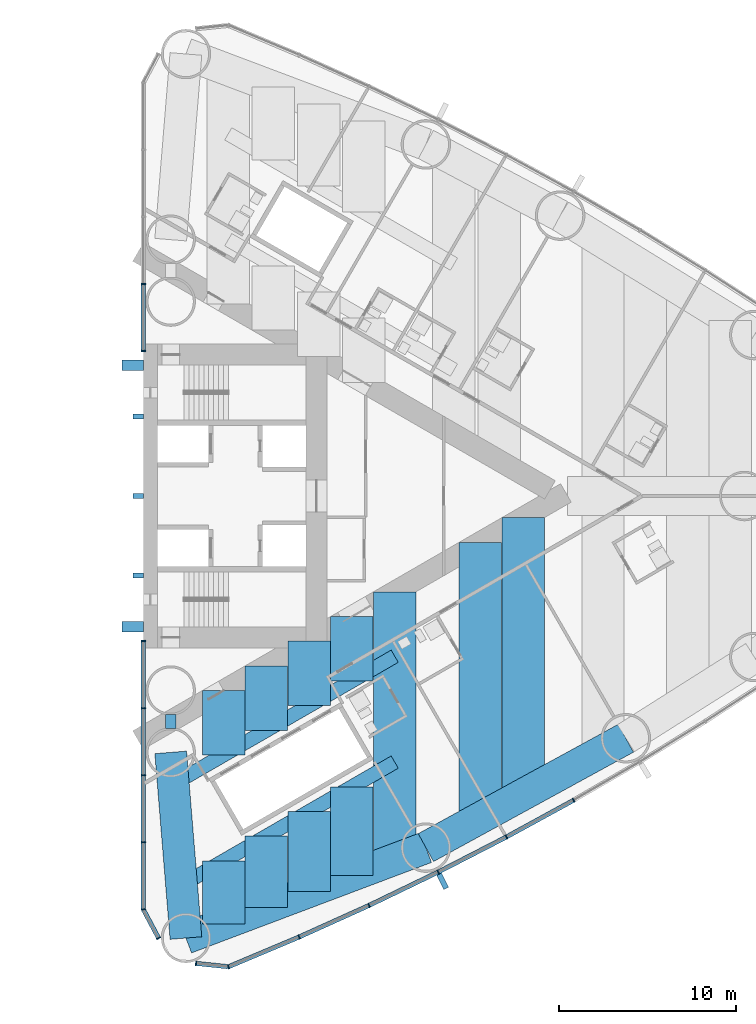
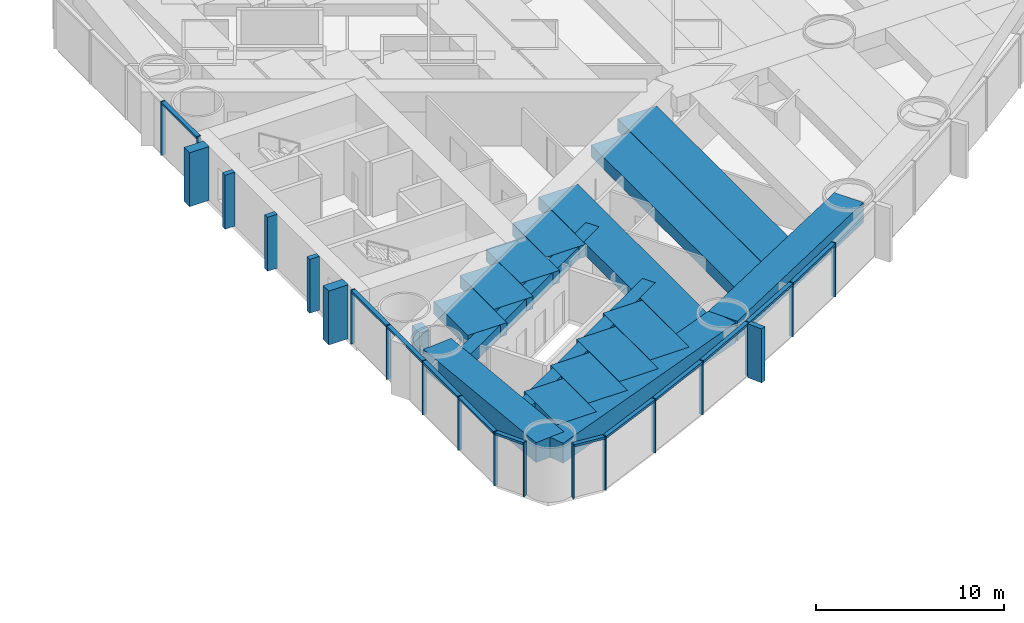
# One storey, part 6 of 19: 33 members, 17 beams, 3 elements without a shape of their own.
"""IFC4 building model written with IfcOpenShell, lengths in metres."""

from ifc_helpers import new_model, si_unit, direction, frame, origin, origin_2d, place, context, subcontext, project, spatial, rectangle, hollow_rectangle, extrude, material, material_profile, profile_set, type_object, element, aggregate, save


model = new_model("IFC4")

# Units and contexts
model_context = context("Model", 3, precision=1e-05, world=origin(), true_north=direction((0.0, 1.0)))
body_context = subcontext(model_context, "Body", "Model", "MODEL_VIEW")
ifc_project = project(units=[si_unit("LENGTHUNIT", "METRE"), si_unit("AREAUNIT", "SQUARE_METRE"), si_unit("VOLUMEUNIT", "CUBIC_METRE"), si_unit("PLANEANGLEUNIT", "RADIAN"), si_unit("MASSUNIT", "GRAM", prefix="KILO")], contexts=[model_context])

# Site, building, storey
site_placement = place(None, origin())
site = spatial("IfcSite", under=ifc_project, at=site_placement, CompositionType="ELEMENT")
building_placement = place(site_placement, origin())
building = spatial("IfcBuilding", under=site, at=building_placement, Name="Lancet Gate Hotel", CompositionType="ELEMENT")
storey_placement = place(building_placement, frame((0.0, 0.0, 39.0)))
storey = spatial("IfcBuildingStorey", under=building, at=storey_placement, Name="L09", CompositionType="ELEMENT", Elevation=39.0)

# Curtain wall, members
ifc_material_1 = material(Name="Aluminium curtain wall", Category="aluminium")
curtain_wall_type = type_object("IfcCurtainWallType", Name="Tower unitised curtain wall", PredefinedType="USERDEFINED", material=ifc_material_1)
curtain_wall_1_placement = place(storey_placement, origin())
curtain_wall_1 = element("IfcCurtainWall", 1, at=curtain_wall_1_placement, inside=storey, type_object=curtain_wall_type, Name="T2 L09 curtain wall 1", ObjectType="UNITISED CURTAIN WALL", PredefinedType="USERDEFINED")
ifc_material_2 = material(Name="Aluminium mullion", Category="aluminium")
ifc_material_profile_1 = material_profile(ifc_material_2, rectangle(XDim=0.06494140625, YDim=0.25, at=origin_2d()), Name="MULLION 65x250")
ifc_profile_set_1 = profile_set([ifc_material_profile_1], Name="Aluminium mullion")
member_type_1 = type_object("IfcMemberType", Name="Aluminium mullion 65x250", PredefinedType="MULLION", material=ifc_profile_set_1)
member_1_placement = place(storey_placement, frame((27.5, -8.199951171875, 0.0), z_axis=(0.0, 0.0, 1.0), x_axis=(0.0, -1.0, 0.0)))
member_1 = element("IfcMember", 2, at=member_1_placement, type_object=member_type_1, Name="T2 L09 curtain wall 1 mullion 1", PredefinedType="MULLION", context=body_context, shape_type="SweptSolid", body=[
    extrude(rectangle(XDim=0.06494140625, YDim=0.25, at=origin_2d()), origin(), (0.0, 0.0, 1.0), 3.5),
])
member_2_placement = place(storey_placement, frame((27.5, -11.99609375, 0.0), z_axis=(0.0, 0.0, 1.0), x_axis=(0.0, -1.0, 0.0)))
member_2 = element("IfcMember", 3, at=member_2_placement, type_object=member_type_1, Name="T2 L09 curtain wall 1 mullion 2", PredefinedType="MULLION", context=body_context, shape_type="SweptSolid", body=[
    extrude(rectangle(XDim=0.06494140625, YDim=0.25, at=origin_2d()), origin(), (0.0, 0.0, 1.0), 3.5),
])
member_3_placement = place(storey_placement, frame((27.5, -15.79248046875, 0.0), z_axis=(0.0, 0.0, 1.0), x_axis=(0.0, -1.0, 0.0)))
member_3 = element("IfcMember", 4, at=member_3_placement, type_object=member_type_1, Name="T2 L09 curtain wall 1 mullion 3", PredefinedType="MULLION", context=body_context, shape_type="SweptSolid", body=[
    extrude(rectangle(XDim=0.06494140625, YDim=0.25, at=origin_2d()), origin(), (0.0, 0.0, 1.0), 3.5),
])
member_4_placement = place(storey_placement, frame((27.5, -19.588623046875, 0.0), z_axis=(0.0, 0.0, 1.0), x_axis=(0.0, -1.0, 0.0)))
member_4 = element("IfcMember", 5, at=member_4_placement, type_object=member_type_1, Name="T2 L09 curtain wall 1 mullion 4", PredefinedType="MULLION", context=body_context, shape_type="SweptSolid", body=[
    extrude(rectangle(XDim=0.06494140625, YDim=0.25, at=origin_2d()), origin(), (0.0, 0.0, 1.0), 3.5),
])
member_5_placement = place(storey_placement, frame((27.5, -23.384765625, 0.0), z_axis=(0.0, 0.0, 1.0), x_axis=(0.157751691459, -0.987478811844, 0.0)))
member_5 = element("IfcMember", 6, at=member_5_placement, type_object=member_type_1, Name="T2 L09 curtain wall 1 mullion 5", PredefinedType="MULLION", context=body_context, shape_type="SweptSolid", body=[
    extrude(rectangle(XDim=0.06494140625, YDim=0.25, at=origin_2d()), origin(), (0.0, 0.0, 1.0), 3.5),
])
member_6_placement = place(storey_placement, frame((28.366455078125, -25.012451171875, 0.0), z_axis=(0.0, 0.0, 1.0), x_axis=(0.469897827284, -0.882720811987, 0.0)))
member_6 = element("IfcMember", 7, at=member_6_placement, type_object=member_type_1, Name="T2 L09 curtain wall 1 mullion 6", PredefinedType="MULLION", context=body_context, shape_type="SweptSolid", body=[
    extrude(rectangle(XDim=0.06494140625, YDim=0.25, at=origin_2d()), origin(), (0.0, 0.0, 1.0), 3.5),
])

curtain_wall_2_placement = place(storey_placement, origin())
curtain_wall_2 = element("IfcCurtainWall", 8, at=curtain_wall_2_placement, inside=storey, type_object=curtain_wall_type, Name="T2 L09 curtain wall 2", ObjectType="UNITISED CURTAIN WALL", PredefinedType="USERDEFINED")
member_7_placement = place(storey_placement, frame((30.48388671875, -26.4375, 0.0), z_axis=(0.0, 0.0, 1.0), x_axis=(0.994672262412, -0.10308778001, 0.0)))
member_7 = element("IfcMember", 9, at=member_7_placement, type_object=member_type_1, Name="T2 L09 curtain wall 2 mullion 1", PredefinedType="MULLION", context=body_context, shape_type="SweptSolid", body=[
    extrude(rectangle(XDim=0.06494140625, YDim=0.25, at=origin_2d()), origin(), (0.0, 0.0, 1.0), 3.5),
])
member_8_placement = place(storey_placement, frame((32.3173828125, -26.62744140625, 0.0), z_axis=(0.0, 0.0, 1.0), x_axis=(0.968721492963, 0.248150496819, 0.0)))
member_8 = element("IfcMember", 10, at=member_8_placement, type_object=member_type_1, Name="T2 L09 curtain wall 2 mullion 2", PredefinedType="MULLION", context=body_context, shape_type="SweptSolid", body=[
    extrude(rectangle(XDim=0.06494140625, YDim=0.25, at=origin_2d()), origin(), (0.0, 0.0, 1.0), 3.5),
])
member_9_placement = place(storey_placement, frame((36.31494140625, -24.943603515625, 0.0), z_axis=(0.0, 0.0, 1.0), x_axis=(0.916578705089, 0.399854320193, 0.0)))
member_9 = element("IfcMember", 11, at=member_9_placement, type_object=member_type_1, Name="T2 L09 curtain wall 2 mullion 3", PredefinedType="MULLION", context=body_context, shape_type="SweptSolid", body=[
    extrude(rectangle(XDim=0.06494140625, YDim=0.25, at=origin_2d()), origin(), (0.0, 0.0, 1.0), 3.5),
])
member_10_placement = place(storey_placement, frame((40.2685546875, -23.15869140625, 0.0), z_axis=(0.0, 0.0, 1.0), x_axis=(0.906104948671, 0.423052977762, 0.0)))
member_10 = element("IfcMember", 12, at=member_10_placement, type_object=member_type_1, Name="T2 L09 curtain wall 2 mullion 4", PredefinedType="MULLION", context=body_context, shape_type="SweptSolid", body=[
    extrude(rectangle(XDim=0.06494140625, YDim=0.25, at=origin_2d()), origin(), (0.0, 0.0, 1.0), 3.5),
])
member_11_placement = place(storey_placement, frame((44.17529296875, -21.273681640625, 0.0), z_axis=(0.0, 0.0, 1.0), x_axis=(0.895044147438, 0.445977548917, 0.0)))
member_11 = element("IfcMember", 13, at=member_11_placement, type_object=member_type_1, Name="T2 L09 curtain wall 2 mullion 5", PredefinedType="MULLION", context=body_context, shape_type="SweptSolid", body=[
    extrude(rectangle(XDim=0.06494140625, YDim=0.25, at=origin_2d()), origin(), (0.0, 0.0, 1.0), 3.5),
])
member_12_placement = place(storey_placement, frame((48.03271484375, -19.2900390625, 0.0), z_axis=(0.0, 0.0, 1.0), x_axis=(0.88340346743, 0.468613181347, 0.0)))
member_12 = element("IfcMember", 14, at=member_12_placement, type_object=member_type_1, Name="T2 L09 curtain wall 2 mullion 6", PredefinedType="MULLION", context=body_context, shape_type="SweptSolid", body=[
    extrude(rectangle(XDim=0.06494140625, YDim=0.25, at=origin_2d()), origin(), (0.0, 0.0, 1.0), 3.5),
])
member_13_placement = place(storey_placement, frame((51.838623046875, -17.208740234375, 0.0), z_axis=(0.0, 0.0, 1.0), x_axis=(0.871190450382, 0.490945209941, 0.0)))
member_13 = element("IfcMember", 15, at=member_13_placement, type_object=member_type_1, Name="T2 L09 curtain wall 2 mullion 7", PredefinedType="MULLION", context=body_context, shape_type="SweptSolid", body=[
    extrude(rectangle(XDim=0.06494140625, YDim=0.25, at=origin_2d()), origin(), (0.0, 0.0, 1.0), 3.5),
])

curtain_wall_3_placement = place(storey_placement, origin())
curtain_wall_3 = element("IfcCurtainWall", 16, at=curtain_wall_3_placement, inside=storey, type_object=curtain_wall_type, Name="T2 L09 curtain wall 4", ObjectType="UNITISED CURTAIN WALL", PredefinedType="USERDEFINED")
member_14_placement = place(storey_placement, frame((27.5, 11.99609375, 0.0), z_axis=(0.0, 0.0, 1.0), x_axis=(0.0, -1.0, 0.0)))
member_14 = element("IfcMember", 17, at=member_14_placement, type_object=member_type_1, Name="T2 L09 curtain wall 4 mullion 5", PredefinedType="MULLION", context=body_context, shape_type="SweptSolid", body=[
    extrude(rectangle(XDim=0.06494140625, YDim=0.25, at=origin_2d()), origin(), (0.0, 0.0, 1.0), 3.5),
])
member_15_placement = place(storey_placement, frame((27.5, 8.199951171875, 0.0), z_axis=(0.0, 0.0, 1.0), x_axis=(0.0, -1.0, 0.0)))
member_15 = element("IfcMember", 18, at=member_15_placement, type_object=member_type_1, Name="T2 L09 curtain wall 4 mullion 6", PredefinedType="MULLION", context=body_context, shape_type="SweptSolid", body=[
    extrude(rectangle(XDim=0.06494140625, YDim=0.25, at=origin_2d()), origin(), (0.0, 0.0, 1.0), 3.5),
])

# Member
ifc_material_3 = material(Name="Aluminium transom", Category="aluminium")
ifc_material_profile_2 = material_profile(ifc_material_3, rectangle(XDim=0.25, YDim=0.14990234375, at=origin_2d()), Name="TRANSOM 250x150")
ifc_profile_set_2 = profile_set([ifc_material_profile_2], Name="Aluminium transom")
member_type_2 = type_object("IfcMemberType", Name="Aluminium transom 250x150", PredefinedType="USERDEFINED", material=ifc_profile_set_2)
member_16_placement = place(storey_placement, frame((27.5, -8.232421875, 3.425048828125), z_axis=(0.0, -1.0, 0.0), x_axis=(1.0, 0.0, 0.0)))
member_16 = element("IfcMember", 19, at=member_16_placement, type_object=member_type_2, Name="T2 L09 curtain wall 1 transom 1", ObjectType="TRANSOM", PredefinedType="USERDEFINED", context=body_context, shape_type="SweptSolid", body=[
    extrude(rectangle(XDim=0.25, YDim=0.14990234375, at=origin_2d()), origin(), (0.0, 0.0, 1.0), 3.731201171875),
])

member_17_placement = place(storey_placement, frame((27.5, -12.02880859375, 3.425048828125), z_axis=(0.0, -1.0, 0.0), x_axis=(1.0, 0.0, 0.0)))
member_17 = element("IfcMember", 20, at=member_17_placement, type_object=member_type_2, Name="T2 L09 curtain wall 1 transom 2", ObjectType="TRANSOM", PredefinedType="USERDEFINED", context=body_context, shape_type="SweptSolid", body=[
    extrude(rectangle(XDim=0.25, YDim=0.14990234375, at=origin_2d()), origin(), (0.0, 0.0, 1.0), 3.731201171875),
])

member_18_placement = place(storey_placement, frame((27.5, -15.824951171875, 3.425048828125), z_axis=(0.0, -1.0, 0.0), x_axis=(1.0, 0.0, 0.0)))
member_18 = element("IfcMember", 21, at=member_18_placement, type_object=member_type_2, Name="T2 L09 curtain wall 1 transom 3", ObjectType="TRANSOM", PredefinedType="USERDEFINED", context=body_context, shape_type="SweptSolid", body=[
    extrude(rectangle(XDim=0.25, YDim=0.14990234375, at=origin_2d()), origin(), (0.0, 0.0, 1.0), 3.731201171875),
])

member_19_placement = place(storey_placement, frame((27.5, -19.62109375, 3.425048828125), z_axis=(0.0, -1.0, 0.0), x_axis=(1.0, 0.0, 0.0)))
member_19 = element("IfcMember", 22, at=member_19_placement, type_object=member_type_2, Name="T2 L09 curtain wall 1 transom 4", ObjectType="TRANSOM", PredefinedType="USERDEFINED", context=body_context, shape_type="SweptSolid", body=[
    extrude(rectangle(XDim=0.25, YDim=0.14990234375, at=origin_2d()), origin(), (0.0, 0.0, 1.0), 3.731201171875),
])

member_20_placement = place(storey_placement, frame((27.515380859375, -23.41357421875, 3.425048828125), z_axis=(0.469904276347, -0.882717378933, 0.0), x_axis=(0.882717378933, 0.469904276347, 0.0)))
member_20 = element("IfcMember", 23, at=member_20_placement, type_object=member_type_2, Name="T2 L09 curtain wall 1 transom 5", ObjectType="TRANSOM", PredefinedType="USERDEFINED", context=body_context, shape_type="SweptSolid", body=[
    extrude(rectangle(XDim=0.25, YDim=0.14990234375, at=origin_2d()), origin(), (0.0, 0.0, 1.0), 1.779052734375),
])

aggregate(curtain_wall_1, [member_1, member_2, member_3, member_4, member_5, member_6, member_16, member_17, member_18, member_19, member_20])

member_21_placement = place(storey_placement, frame((30.516357421875, -26.440673828125, 3.425048828125), z_axis=(0.994670452051, -0.103105246306, 0.0), x_axis=(0.103105246306, 0.994670452051, 0.0)))
member_21 = element("IfcMember", 24, at=member_21_placement, type_object=member_type_2, Name="T2 L09 curtain wall 2 transom 1", ObjectType="TRANSOM", PredefinedType="USERDEFINED", context=body_context, shape_type="SweptSolid", body=[
    extrude(rectangle(XDim=0.25, YDim=0.14990234375, at=origin_2d()), origin(), (0.0, 0.0, 1.0), 1.7783203125),
])

member_22_placement = place(storey_placement, frame((32.347412109375, -26.61474609375, 3.425048828125), z_axis=(0.92159772617, 0.388146404233, 0.0), x_axis=(-0.388146404233, 0.92159772617, 0.0)))
member_22 = element("IfcMember", 25, at=member_22_placement, type_object=member_type_2, Name="T2 L09 curtain wall 2 transom 2", ObjectType="TRANSOM", PredefinedType="USERDEFINED", context=body_context, shape_type="SweptSolid", body=[
    extrude(rectangle(XDim=0.25, YDim=0.14990234375, at=origin_2d()), origin(), (0.0, 0.0, 1.0), 4.272705078125),
])

member_23_placement = place(storey_placement, frame((36.3447265625, -24.930419921875, 3.425048828125), z_axis=(0.911396871737, 0.411528543589, 0.0), x_axis=(-0.411528543589, 0.911396871737, 0.0)))
member_23 = element("IfcMember", 26, at=member_23_placement, type_object=member_type_2, Name="T2 L09 curtain wall 2 transom 3", ObjectType="TRANSOM", PredefinedType="USERDEFINED", context=body_context, shape_type="SweptSolid", body=[
    extrude(rectangle(XDim=0.25, YDim=0.14990234375, at=origin_2d()), origin(), (0.0, 0.0, 1.0), 4.272705078125),
])

member_24_placement = place(storey_placement, frame((40.2978515625, -23.14453125, 3.425048828125), z_axis=(0.900646499888, 0.434552508035, 0.0), x_axis=(-0.434552508035, 0.900646499888, 0.0)))
member_24 = element("IfcMember", 27, at=member_24_placement, type_object=member_type_2, Name="T2 L09 curtain wall 2 transom 4", ObjectType="TRANSOM", PredefinedType="USERDEFINED", context=body_context, shape_type="SweptSolid", body=[
    extrude(rectangle(XDim=0.25, YDim=0.14990234375, at=origin_2d()), origin(), (0.0, 0.0, 1.0), 4.272705078125),
])

member_25_placement = place(storey_placement, frame((44.2041015625, -21.259033203125, 3.425048828125), z_axis=(0.88929576978, 0.457332520002, 0.0), x_axis=(-0.457332520002, 0.88929576978, 0.0)))
member_25 = element("IfcMember", 28, at=member_25_placement, type_object=member_type_2, Name="T2 L09 curtain wall 2 transom 5", ObjectType="TRANSOM", PredefinedType="USERDEFINED", context=body_context, shape_type="SweptSolid", body=[
    extrude(rectangle(XDim=0.25, YDim=0.14990234375, at=origin_2d()), origin(), (0.0, 0.0, 1.0), 4.272705078125),
])

member_26_placement = place(storey_placement, frame((48.061279296875, -19.2744140625, 3.425048828125), z_axis=(0.877377528879, 0.479800658417, 0.0), x_axis=(-0.479800658417, 0.877377528879, 0.0)))
member_26 = element("IfcMember", 29, at=member_26_placement, type_object=member_type_2, Name="T2 L09 curtain wall 2 transom 6", ObjectType="TRANSOM", PredefinedType="USERDEFINED", context=body_context, shape_type="SweptSolid", body=[
    extrude(rectangle(XDim=0.25, YDim=0.14990234375, at=origin_2d()), origin(), (0.0, 0.0, 1.0), 4.272705078125),
])

member_27_placement = place(storey_placement, frame((27.5, 11.963623046875, 3.425048828125), z_axis=(0.0, -1.0, 0.0), x_axis=(1.0, 0.0, 0.0)))
member_27 = element("IfcMember", 30, at=member_27_placement, type_object=member_type_2, Name="T2 L09 curtain wall 4 transom 5", ObjectType="TRANSOM", PredefinedType="USERDEFINED", context=body_context, shape_type="SweptSolid", body=[
    extrude(rectangle(XDim=0.25, YDim=0.14990234375, at=origin_2d()), origin(), (0.0, 0.0, 1.0), 3.731201171875),
])

aggregate(curtain_wall_3, [member_14, member_15, member_27])

# Beams
ifc_material_4 = material(Name="Concrete C50/60", Category="concrete")
ifc_material_profile_3 = material_profile(ifc_material_4, rectangle(XDim=1.800048828125, YDim=1.300048828125, at=origin_2d()), Name="RC 1800x1300")
ifc_profile_set_3 = profile_set([ifc_material_profile_3], Name="Concrete C50/60")
beam_type_1 = type_object("IfcBeamType", Name="Edge beam RC 1800x1300", PredefinedType="SPANDREL", material=ifc_profile_set_3)
beam_1_placement = place(storey_placement, frame((29.9111328125, -25.00244140625, 2.60009765625), z_axis=(0.935736448066, 0.352700013836, 0.0), x_axis=(-0.352700013836, 0.935736448066, 0.0)))
element("IfcBeam", 31, at=beam_1_placement, inside=storey, type_object=beam_type_1, Name="T2 edge beam EB1 L09", PredefinedType="SPANDREL", context=body_context, shape_type="SweptSolid", body=[
    extrude(rectangle(XDim=1.800048828125, YDim=1.300048828125, at=origin_2d()), origin(), (0.0, 0.0, 1.0), 14.505126953125),
])
beam_2_placement = place(storey_placement, frame((43.484130859375, -19.886474609375, 2.60009765625), z_axis=(0.87736889738, 0.479816441893, 0.0), x_axis=(-0.479816441893, 0.87736889738, 0.0)))
element("IfcBeam", 32, at=beam_2_placement, inside=storey, type_object=beam_type_1, Name="T2 edge beam EB1 L09", PredefinedType="SPANDREL", context=body_context, shape_type="SweptSolid", body=[
    extrude(rectangle(XDim=1.800048828125, YDim=1.300048828125, at=origin_2d()), origin(), (0.0, 0.0, 1.0), 12.89208984375),
])
beam_3_placement = place(storey_placement, frame((29.9111328125, -25.00244140625, 2.60009765625), z_axis=(-0.081714744052, 0.996655758326, 0.0), x_axis=(-0.996655758326, -0.081714744052, 0.0)))
element("IfcBeam", 33, at=beam_3_placement, inside=storey, type_object=beam_type_1, Name="T2 edge beam EB1 L09", PredefinedType="SPANDREL", context=body_context, shape_type="SweptSolid", body=[
    extrude(rectangle(XDim=1.800048828125, YDim=1.300048828125, at=origin_2d()), origin(), (0.0, 0.0, 1.0), 10.53759765625),
])

# Members
ifc_material_5 = material(Name="Concrete C60/75", Category="concrete")
ifc_material_profile_4 = material_profile(ifc_material_5, rectangle(XDim=0.60009765625, YDim=1.199951171875, at=origin_2d()), Name="FIN 600x1200")
ifc_profile_set_4 = profile_set([ifc_material_profile_4], Name="Concrete C60/75")
member_type_3 = type_object("IfcMemberType", Name="Exposed concrete buttress pilaster 600x1200", PredefinedType="USERDEFINED", material=ifc_profile_set_4)
for number, where, z_axis, x_axis, name in (
    (34, (26.909912109375, -7.39990234375, 0.0), (0.0, 0.0, 1.0), (0.0, 1.0, 0.0), "T2 buttress pilaster S L09"),
    (35, (26.909912109375, 7.39990234375, 0.0), (0.0, 0.0, 1.0), (0.0, 1.0, 0.0), "T2 buttress pilaster N L09"),
):
    element("IfcMember", number, at=place(storey_placement, frame(where, z_axis=z_axis, x_axis=x_axis)), inside=storey, type_object=member_type_3, Name=name, ObjectType="FIN", PredefinedType="USERDEFINED", context=body_context, shape_type="SweptSolid", body=[
        extrude(rectangle(XDim=0.60009765625, YDim=1.199951171875, at=origin_2d()), origin(), (0.0, 0.0, 1.0), 3.5),
    ])

# Member
ifc_material_6 = material(Name="Precast concrete C50/60", Category="concrete")
ifc_material_profile_5 = material_profile(ifc_material_6, rectangle(XDim=0.300048828125, YDim=0.89990234375, at=origin_2d()), Name="FIN 300x900")
ifc_profile_set_5 = profile_set([ifc_material_profile_5], Name="Precast concrete C50/60")
member_type_4 = type_object("IfcMemberType", Name="Exposed concrete fin 300x900", PredefinedType="USERDEFINED", material=ifc_profile_set_5)
member_28_placement = place(storey_placement, frame((44.431640625, -21.788330078125, 0.0), z_axis=(0.0, 0.0, 1.0), x_axis=(0.895044147438, 0.445977548917, 0.0)))
member_28 = element("IfcMember", 36, at=member_28_placement, type_object=member_type_4, Name="T2 L09 curtain wall 2 fin 5", ObjectType="FIN", PredefinedType="USERDEFINED", context=body_context, shape_type="SweptSolid", body=[
    extrude(rectangle(XDim=0.300048828125, YDim=0.89990234375, at=origin_2d()), origin(), (0.0, 0.0, 1.0), 3.5),
])

aggregate(curtain_wall_2, [member_7, member_8, member_9, member_10, member_11, member_28, member_12, member_13, member_21, member_22, member_23, member_24, member_25, member_26])

# Members
ifc_material_7 = material(Name="Concrete C60/75", Category="concrete")
ifc_material_profile_6 = material_profile(ifc_material_7, rectangle(XDim=0.300048828125, YDim=0.60009765625, at=origin_2d()), Name="FIN 300x600")
ifc_profile_set_6 = profile_set([ifc_material_profile_6], Name="Concrete C60/75")
member_type_5 = type_object("IfcMemberType", Name="Exposed concrete rib 300x600", PredefinedType="USERDEFINED", material=ifc_profile_set_6)
for number, where, z_axis, x_axis, name in (
    (37, (27.2099609375, -4.5, 0.0), (0.0, 0.0, 1.0), (0.0, 1.0, 0.0), "T2 core rib 1 L09"),
    (38, (27.2099609375, 0.0, 0.0), (0.0, 0.0, 1.0), (0.0, 1.0, 0.0), "T2 core rib 2 L09"),
    (39, (27.2099609375, 4.5, 0.0), (0.0, 0.0, 1.0), (0.0, 1.0, 0.0), "T2 core rib 3 L09"),
):
    element("IfcMember", number, at=place(storey_placement, frame(where, z_axis=z_axis, x_axis=x_axis)), inside=storey, type_object=member_type_5, Name=name, ObjectType="FIN", PredefinedType="USERDEFINED", context=body_context, shape_type="SweptSolid", body=[
        extrude(rectangle(XDim=0.300048828125, YDim=0.60009765625, at=origin_2d()), origin(), (0.0, 0.0, 1.0), 3.5),
    ])

# Beams
ifc_material_8 = material(Name="Concrete C50/60", Category="concrete")
ifc_material_profile_7 = material_profile(ifc_material_8, rectangle(XDim=2.39990234375, YDim=0.800048828125, at=origin_2d()), Name="RC 2400x800")
ifc_profile_set_7 = profile_set([ifc_material_profile_7], Name="Concrete C50/60")
beam_type_2 = type_object("IfcBeamType", Name="Floor beam RC 2400x800", PredefinedType="BEAM", material=ifc_profile_set_7)
beam_4_placement = place(storey_placement, frame((41.721435546875, -20.55078125, 2.85009765625), z_axis=(0.0, 1.0, 0.0), x_axis=(-1.0, 0.0, 0.0)))
element("IfcBeam", 40, at=beam_4_placement, inside=storey, type_object=beam_type_2, Name="T2 floor beam F11S L09", PredefinedType="BEAM", context=body_context, shape_type="SweptSolid", body=[
    extrude(rectangle(XDim=2.39990234375, YDim=0.800048828125, at=origin_2d()), origin(), (0.0, 0.0, 1.0), 15.134765625),
])
beam_5_placement = place(storey_placement, frame((46.561767578125, -18.203369140625, 2.85009765625), z_axis=(0.0, 1.0, 0.0), x_axis=(-1.0, 0.0, 0.0)))
element("IfcBeam", 41, at=beam_5_placement, inside=storey, type_object=beam_type_2, Name="T2 floor beam F13S L09", PredefinedType="BEAM", context=body_context, shape_type="SweptSolid", body=[
    extrude(rectangle(XDim=2.39990234375, YDim=0.800048828125, at=origin_2d()), origin(), (0.0, 0.0, 1.0), 15.58203125),
])
beam_6_placement = place(storey_placement, frame((48.98193359375, -16.879638671875, 2.85009765625), z_axis=(0.0, 1.0, 0.0), x_axis=(-1.0, 0.0, 0.0)))
element("IfcBeam", 42, at=beam_6_placement, inside=storey, type_object=beam_type_2, Name="T2 floor beam F15S L09", PredefinedType="BEAM", context=body_context, shape_type="SweptSolid", body=[
    extrude(rectangle(XDim=2.39990234375, YDim=0.800048828125, at=origin_2d()), origin(), (0.0, 0.0, 1.0), 15.655517578125),
])
beam_7_placement = place(storey_placement, frame((32.04052734375, -24.199951171875, 2.85009765625), z_axis=(0.0, 1.0, 0.0), x_axis=(-1.0, 0.0, 0.0)))
element("IfcBeam", 43, at=beam_7_placement, inside=storey, type_object=beam_type_2, Name="T2 floor beam F03SA L09", PredefinedType="BEAM", context=body_context, shape_type="SweptSolid", body=[
    extrude(rectangle(XDim=2.39990234375, YDim=0.800048828125, at=origin_2d()), origin(), (0.0, 0.0, 1.0), 3.5615234375),
])
beam_8_placement = place(storey_placement, frame((32.04052734375, -14.65087890625, 2.85009765625), z_axis=(0.0, 1.0, 0.0), x_axis=(-1.0, 0.0, 0.0)))
element("IfcBeam", 44, at=beam_8_placement, inside=storey, type_object=beam_type_2, Name="T2 floor beam F03SB L09", PredefinedType="BEAM", context=body_context, shape_type="SweptSolid", body=[
    extrude(rectangle(XDim=2.39990234375, YDim=0.800048828125, at=origin_2d()), origin(), (0.0, 0.0, 1.0), 3.6455078125),
])
beam_9_placement = place(storey_placement, frame((34.460693359375, -23.28759765625, 2.85009765625), z_axis=(0.0, 1.0, 0.0), x_axis=(-1.0, 0.0, 0.0)))
element("IfcBeam", 45, at=beam_9_placement, inside=storey, type_object=beam_type_2, Name="T2 floor beam F05SA L09", PredefinedType="BEAM", context=body_context, shape_type="SweptSolid", body=[
    extrude(rectangle(XDim=2.39990234375, YDim=0.800048828125, at=origin_2d()), origin(), (0.0, 0.0, 1.0), 4.04638671875),
])
beam_10_placement = place(storey_placement, frame((34.460693359375, -13.253662109375, 2.85009765625), z_axis=(0.0, 1.0, 0.0), x_axis=(-1.0, 0.0, 0.0)))
element("IfcBeam", 46, at=beam_10_placement, inside=storey, type_object=beam_type_2, Name="T2 floor beam F05SB L09", PredefinedType="BEAM", context=body_context, shape_type="SweptSolid", body=[
    extrude(rectangle(XDim=2.39990234375, YDim=0.800048828125, at=origin_2d()), origin(), (0.0, 0.0, 1.0), 3.645751953125),
])
beam_11_placement = place(storey_placement, frame((36.880859375, -22.37548828125, 2.85009765625), z_axis=(0.0, 1.0, 0.0), x_axis=(-1.0, 0.0, 0.0)))
element("IfcBeam", 47, at=beam_11_placement, inside=storey, type_object=beam_type_2, Name="T2 floor beam F07SA L09", PredefinedType="BEAM", context=body_context, shape_type="SweptSolid", body=[
    extrude(rectangle(XDim=2.39990234375, YDim=0.800048828125, at=origin_2d()), origin(), (0.0, 0.0, 1.0), 4.53173828125),
])
beam_12_placement = place(storey_placement, frame((36.880859375, -11.8564453125, 2.85009765625), z_axis=(0.0, 1.0, 0.0), x_axis=(-1.0, 0.0, 0.0)))
element("IfcBeam", 48, at=beam_12_placement, inside=storey, type_object=beam_type_2, Name="T2 floor beam F07SB L09", PredefinedType="BEAM", context=body_context, shape_type="SweptSolid", body=[
    extrude(rectangle(XDim=2.39990234375, YDim=0.800048828125, at=origin_2d()), origin(), (0.0, 0.0, 1.0), 3.645751953125),
])
beam_13_placement = place(storey_placement, frame((39.301025390625, -21.463134765625, 2.85009765625), z_axis=(0.0, 1.0, 0.0), x_axis=(-1.0, 0.0, 0.0)))
element("IfcBeam", 49, at=beam_13_placement, inside=storey, type_object=beam_type_2, Name="T2 floor beam F09SA L09", PredefinedType="BEAM", context=body_context, shape_type="SweptSolid", body=[
    extrude(rectangle(XDim=2.39990234375, YDim=0.800048828125, at=origin_2d()), origin(), (0.0, 0.0, 1.0), 5.0166015625),
])
beam_14_placement = place(storey_placement, frame((39.301025390625, -10.458984375, 2.85009765625), z_axis=(0.0, 1.0, 0.0), x_axis=(-1.0, 0.0, 0.0)))
element("IfcBeam", 50, at=beam_14_placement, inside=storey, type_object=beam_type_2, Name="T2 floor beam F09SB L09", PredefinedType="BEAM", context=body_context, shape_type="SweptSolid", body=[
    extrude(rectangle(XDim=2.39990234375, YDim=0.800048828125, at=origin_2d()), origin(), (0.0, 0.0, 1.0), 3.6455078125),
])
ifc_material_9 = material(Name="Steel S460QL", Category="steel")
ifc_material_profile_8 = material_profile(ifc_material_9, hollow_rectangle(XDim=0.60009765625, YDim=1.5, WallThickness=0.050048828125, at=origin_2d()), Name="BOX 1500x600x50")
ifc_profile_set_8 = profile_set([ifc_material_profile_8], Name="Steel S460QL")
beam_type_3 = type_object("IfcBeamType", Name="Inner-face link beam BOX 1500x600x50", PredefinedType="BEAM", material=ifc_profile_set_8)
beam_15_placement = place(storey_placement, frame((29.050048828125, -13.14990234375, 2.5), z_axis=(0.0, 1.0, 0.0), x_axis=(-1.0, 0.0, 0.0)))
element("IfcBeam", 51, at=beam_15_placement, inside=storey, type_object=beam_type_3, Name="T2 inner-face link beam LK1 L09", PredefinedType="BEAM", context=body_context, shape_type="SweptSolid", body=[
    extrude(hollow_rectangle(XDim=0.60009765625, YDim=1.5, WallThickness=0.050048828125, at=origin_2d()), origin(), (0.0, 0.0, 1.0), 0.7998046875),
])
ifc_material_10 = material(Name="Steel S460QL", Category="steel")
ifc_material_profile_9 = material_profile(ifc_material_10, hollow_rectangle(XDim=0.800048828125, YDim=0.800048828125, WallThickness=0.080078125, at=origin_2d()), Name="BOX 800x800x80")
ifc_profile_set_9 = profile_set([ifc_material_profile_9], Name="Steel S460QL")
beam_type_4 = type_object("IfcBeamType", Name="Trimmer beam BOX 800x800x80", PredefinedType="BEAM", material=ifc_profile_set_9)
beam_16_placement = place(storey_placement, frame((29.6201171875, -16.048095703125, 2.85009765625), z_axis=(0.866036909293, 0.499980071345, 0.0), x_axis=(-0.499980071345, 0.866036909293, 0.0)))
element("IfcBeam", 52, at=beam_16_placement, inside=storey, type_object=beam_type_4, Name="T2 trimmer beam TR01S L09", PredefinedType="BEAM", context=body_context, shape_type="SweptSolid", body=[
    extrude(hollow_rectangle(XDim=0.800048828125, YDim=0.800048828125, WallThickness=0.080078125, at=origin_2d()), origin(), (0.0, 0.0, 1.0), 13.97314453125),
])
beam_17_placement = place(storey_placement, frame((29.665771484375, -22.00927734375, 2.85009765625), z_axis=(0.866037222451, 0.499979528911, 0.0), x_axis=(-0.499979528911, 0.866037222451, 0.0)))
element("IfcBeam", 53, at=beam_17_placement, inside=storey, type_object=beam_type_4, Name="T2 trimmer beam TR02S L09", PredefinedType="BEAM", context=body_context, shape_type="SweptSolid", body=[
    extrude(hollow_rectangle(XDim=0.800048828125, YDim=0.800048828125, WallThickness=0.080078125, at=origin_2d()), origin(), (0.0, 0.0, 1.0), 13.92041015625),
])

save(model, "model.ifc")
